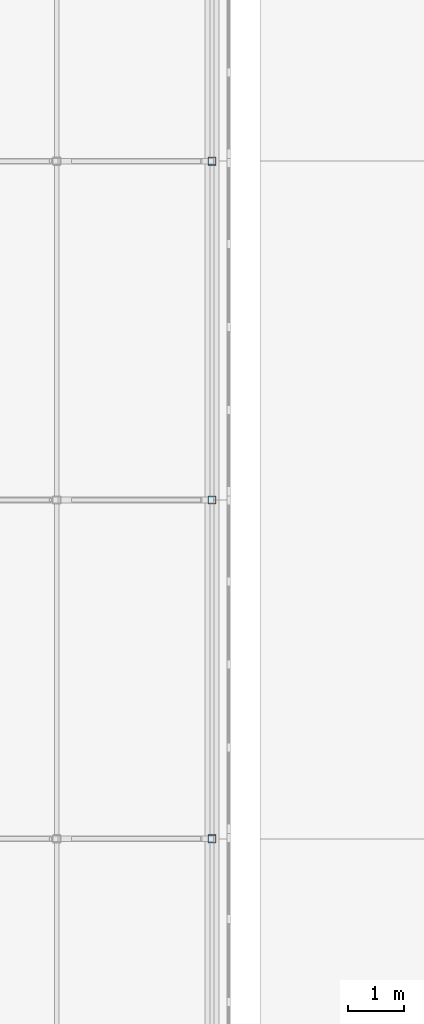
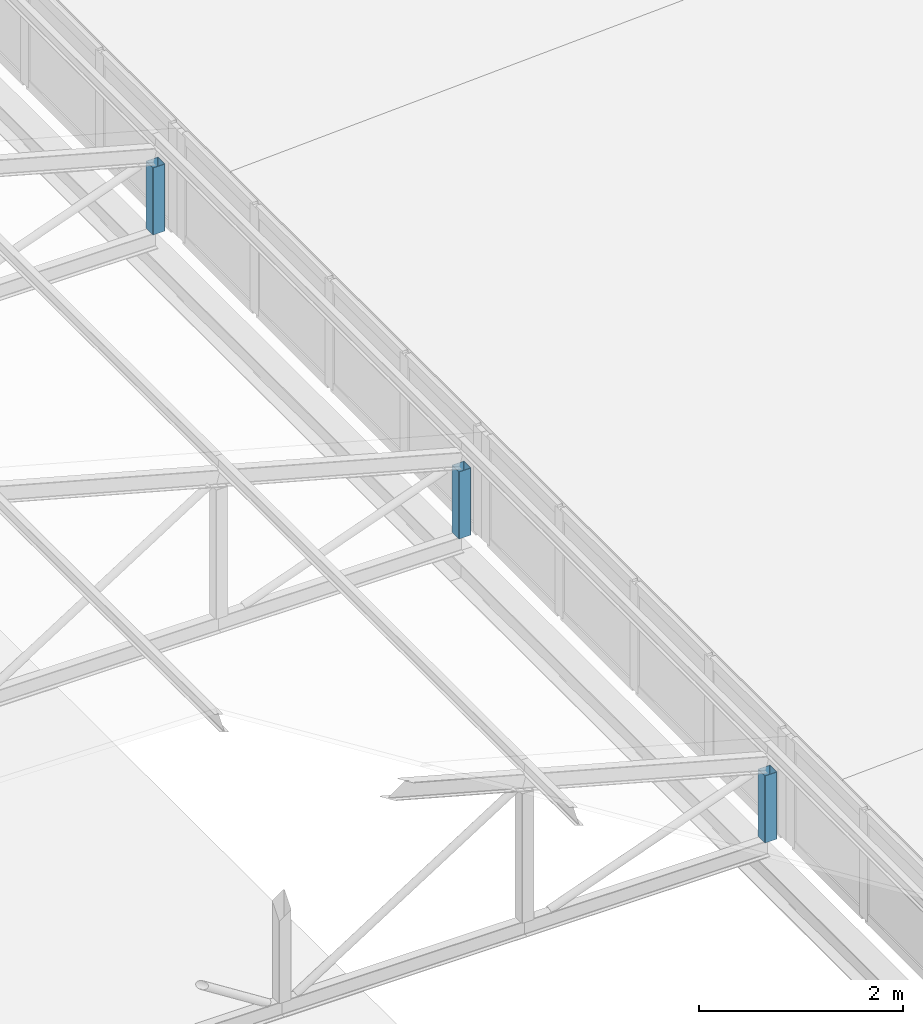
# One storey, part 70 of 94: 3 members.
"""IFC4 building model written with IfcOpenShell, lengths in metres."""

import ifcopenshell
import ifcopenshell.guid

model = None  # the IFC model being written
_history = None  # IfcOwnerHistory: only IFC2X3 demands one
_inside = {}  # id of a spatial element -> (the spatial element, [elements in it])
_under = {}  # id of a project, library or spatial element -> (it, [spatial elements below it])
_declared = {}  # id of a project -> (the project, [libraries it declares])
_typed = {}  # id of a type object -> (the type object, [elements of that type])
_made_of = {}  # id of a material, layer set ... -> (it, [elements and type objects made of it])


def new_model(schema):
    """Start an empty IFC model of exactly this schema.

    Asked for "IFC4X3", IfcOpenShell would pick the latest addendum, in which some entities
    have other attributes; the version numbers below select the first issue.
    IFC2X3 requires an IfcOwnerHistory on every rooted entity: one is made here for all.
    """
    global model, _history
    if schema == "IFC4X3":
        model = ifcopenshell.file(schema_version=(4, 3, 0, 0))
    else:
        model = ifcopenshell.file(schema=schema)
    _inside.clear()
    _under.clear()
    _declared.clear()
    _typed.clear()
    _made_of.clear()
    _history = None
    if model.schema == "IFC2X3":
        org = make("IfcOrganization", Name="unknown")
        user = make(
            "IfcPersonAndOrganization",
            ThePerson=make("IfcPerson", FamilyName="unknown"),
            TheOrganization=org,
        )
        app = make(
            "IfcApplication",
            ApplicationDeveloper=org,
            Version="unknown",
            ApplicationFullName="unknown",
            ApplicationIdentifier="unknown",
        )
        _history = make(
            "IfcOwnerHistory",
            OwningUser=user,
            OwningApplication=app,
            ChangeAction="ADDED",
            CreationDate=0,
        )
    return model


def make(cls, **values):
    """One entity of the class cls with the attributes given. An attribute that is None is left unset."""
    return model.create_entity(
        cls, **{name: value for name, value in values.items() if value is not None}
    )


def rooted(cls, **values):
    """An entity with a GlobalId (a new one), such as an element, a storey or a relation."""
    return make(cls, GlobalId=ifcopenshell.guid.new(), OwnerHistory=_history, **values)


def si_unit(unit_type, name, prefix=None):
    """IfcSIUnit, for example si_unit("LENGTHUNIT", "METRE", prefix="MILLI")."""
    return make("IfcSIUnit", UnitType=unit_type, Prefix=prefix, Name=name)


def assignment(units):
    """IfcUnitAssignment: the units of a project."""
    return None if units is None else make("IfcUnitAssignment", Units=units)


def point(xyz):
    """IfcCartesianPoint."""
    return None if xyz is None else make("IfcCartesianPoint", Coordinates=xyz)


def direction(xyz):
    """IfcDirection."""
    return None if xyz is None else make("IfcDirection", DirectionRatios=xyz)


def frame(location, z_axis=None, x_axis=None):
    """IfcAxis2Placement3D, a coordinate frame: its origin and axes. An axis left out is left unset."""
    return make(
        "IfcAxis2Placement3D",
        Location=point(location),
        Axis=direction(z_axis),
        RefDirection=direction(x_axis),
    )


def frame_2d(location, x_axis=None):
    """IfcAxis2Placement2D, a coordinate frame in the plane: its origin and x axis."""
    return make(
        "IfcAxis2Placement2D", Location=point(location), RefDirection=direction(x_axis)
    )


def origin():
    """The frame at (0, 0, 0) with its axes left unset."""
    return frame((0.0, 0.0, 0.0))


def origin_2d():
    """The frame at (0, 0) in the plane with its x axis left unset."""
    return frame_2d((0.0, 0.0))


def place(relative_to, where):
    """IfcLocalPlacement: puts the frame where relative to a parent placement (None: the world)."""
    return make(
        "IfcLocalPlacement", PlacementRelTo=relative_to, RelativePlacement=where
    )


def context(
    kind, dimensions, precision=None, world=None, true_north=None, identifier=None
):
    """IfcGeometricRepresentationContext, for example the 3D "Model" context."""
    return make(
        "IfcGeometricRepresentationContext",
        ContextIdentifier=identifier,
        ContextType=kind,
        CoordinateSpaceDimension=dimensions,
        Precision=precision,
        WorldCoordinateSystem=world,
        TrueNorth=true_north,
    )


def subcontext(parent, identifier, kind, view, scale=None):
    """IfcGeometricRepresentationSubContext, for example "Body" below "Model"."""
    return make(
        "IfcGeometricRepresentationSubContext",
        ContextIdentifier=identifier,
        ContextType=kind,
        ParentContext=parent,
        TargetScale=scale,
        TargetView=view,
    )


def project(units=None, contexts=None):
    """IfcProject with its units and contexts."""
    return rooted(
        "IfcProject",
        Name="project",
        RepresentationContexts=contexts,
        UnitsInContext=assignment(units),
    )


def spatial(cls, under=None, at=None, **own):
    """A site, building, storey or space (cls), placed at a placement, below another one or the project."""
    s = rooted(cls, ObjectPlacement=at, **own)
    if under is not None:
        _under.setdefault(under.id(), (under, []))[1].append(s)
    return s


def profile(cls, at=None, kind="AREA", **sizes):
    """A parametric profile (cls). Its sizes go by their IFC names, for example OverallWidth=200.0."""
    return make(cls, ProfileType=kind, Position=at, **sizes)


def hollow_rectangle(**sizes):
    """IfcRectangleHollowProfileDef."""
    return profile("IfcRectangleHollowProfileDef", **sizes)


def extrude(swept, where, along, depth):
    """IfcExtrudedAreaSolid: the profile swept, set in the frame where, extruded along a direction by depth."""
    return make(
        "IfcExtrudedAreaSolid",
        SweptArea=swept,
        Position=where,
        ExtrudedDirection=direction(along),
        Depth=depth,
    )


def shape(context_of_items, identifier, shape_type, items):
    """IfcShapeRepresentation: the items that make up one representation, for example the "Body"."""
    return make(
        "IfcShapeRepresentation",
        ContextOfItems=context_of_items,
        RepresentationIdentifier=identifier,
        RepresentationType=shape_type,
        Items=items,
    )


def material(Name=None, Category=None):
    """IfcMaterial."""
    return make("IfcMaterial", Name=Name, Category=Category)


def material_profile(
    of_material, cross_section, Name=None, Category=None, Priority=None
):
    """IfcMaterialProfile: a cross section and its material."""
    return make(
        "IfcMaterialProfile",
        Name=Name,
        Material=of_material,
        Profile=cross_section,
        Priority=Priority,
        Category=Category,
    )


def profile_set(profiles, Name=None, composite=None):
    """IfcMaterialProfileSet."""
    return make(
        "IfcMaterialProfileSet",
        Name=Name,
        MaterialProfiles=profiles,
        CompositeProfile=composite,
    )


def made_of(thing, what):
    """Note that an element or type object is made of a material, layer set ...; save() writes the relation."""
    if what is not None:
        _made_of.setdefault(what.id(), (what, []))[1].append(thing)
    return thing


def type_object(cls, material=None, **own):
    """A type object (cls), such as IfcWallType, which elements share."""
    return made_of(rooted(cls, **own), material)


def element(
    cls,
    number,
    at=None,
    inside=None,
    cuts=None,
    type_object=None,
    material=None,
    context=None,
    identifier="Body",
    shape_type=None,
    held_by="IfcProductDefinitionShape",
    body=None,
    shapes=None,
    **own,
):
    """One element of the class cls, such as IfcWall. Its Tag is "e" and its number.

    at: its placement. inside: the storey or other place that contains it. cuts: it is an
    opening in that element (IfcRelVoidsElement). A single representation is given by context,
    identifier, shape_type and body (its items); several are given by shapes. held_by: the class
    of the entity that holds the representations. save() writes the other relations.
    """
    e = rooted(cls, Tag="e%d" % number, ObjectPlacement=at, **own)
    if body is not None:
        shapes = [shape(context, identifier, shape_type, body)]
    if shapes is not None:
        e.Representation = make(held_by, Representations=shapes)
    if inside is not None:
        _inside.setdefault(inside.id(), (inside, []))[1].append(e)
    if cuts is not None:
        rooted(
            "IfcRelVoidsElement", RelatingBuildingElement=cuts, RelatedOpeningElement=e
        )
    if type_object is not None:
        _typed.setdefault(type_object.id(), (type_object, []))[1].append(e)
    return made_of(e, material)


def aggregate(whole, parts):
    """IfcRelAggregates: a whole, such as a stair, and the parts it consists of."""
    return rooted("IfcRelAggregates", RelatingObject=whole, RelatedObjects=parts)


def save(model, path):
    """Write the relations noted so far, then the file.

    IfcRelAggregates (storeys below a building ...), IfcRelContainedInSpatialStructure (elements
    in a storey), IfcRelDefinesByType, IfcRelAssociatesMaterial and IfcRelDeclares: one each for
    every whole, place, type object, material and project.
    """
    for whole, parts in _under.values():
        aggregate(whole, parts)
    for where, things in _inside.values():
        rooted(
            "IfcRelContainedInSpatialStructure",
            RelatedElements=things,
            RelatingStructure=where,
        )
    for kind, things in _typed.values():
        rooted("IfcRelDefinesByType", RelatedObjects=things, RelatingType=kind)
    for what, things in _made_of.values():
        rooted("IfcRelAssociatesMaterial", RelatedObjects=things, RelatingMaterial=what)
    for by, libraries in _declared.values():
        rooted("IfcRelDeclares", RelatingContext=by, RelatedDefinitions=libraries)
    model.write(path)


model = new_model("IFC4")

# Units and contexts
model_context = context("Model", 3, precision=1e-05, world=origin(), true_north=direction((0.0, 1.0)))
body_context = subcontext(model_context, "Body", "Model", "MODEL_VIEW")
ifc_project = project(units=[si_unit("LENGTHUNIT", "METRE"), si_unit("AREAUNIT", "SQUARE_METRE"), si_unit("VOLUMEUNIT", "CUBIC_METRE"), si_unit("PLANEANGLEUNIT", "RADIAN"), si_unit("MASSUNIT", "GRAM", prefix="KILO")], contexts=[model_context])

# Site, building, storey
site_placement = place(None, origin())
site = spatial("IfcSite", under=ifc_project, at=site_placement, CompositionType="ELEMENT")
building_placement = place(site_placement, origin())
building = spatial("IfcBuilding", under=site, at=building_placement, Name="Lilac Gate Convention Centre", CompositionType="ELEMENT")
storey_placement = place(building_placement, frame((0.0, 0.0, 21.0)))
storey = spatial("IfcBuildingStorey", under=building, at=storey_placement, Name="L04", CompositionType="ELEMENT", Elevation=21.0)

# Members
ifc_material = material(Name="Steel Q355B", Category="steel")
ifc_material_profile = material_profile(ifc_material, hollow_rectangle(XDim=0.139892578125, YDim=0.139892578125, WallThickness=0.0048828125, InnerFilletRadius=0.0048828125, OuterFilletRadius=0.010009765625, at=origin_2d()), Name="SHS140x140x5")
ifc_profile_set = profile_set([ifc_material_profile], Name="Steel Q355B")
member_type = type_object("IfcMemberType", Name="Lantern post SHS140x140x5", PredefinedType="STRUT", material=ifc_profile_set)
for number, where, z_axis, x_axis, name in (
    (1, (28.60009765625, 102.0, 0.199951171875), (0.0, 0.0, 1.0), (1.0, 0.0, 0.0), "LV1 lantern truss 13 post 5"),
    (2, (28.60009765625, 108.0, 0.199951171875), (0.0, 0.0, 1.0), (1.0, 0.0, 0.0), "LV1 lantern truss 14 post 5"),
    (3, (28.60009765625, 114.0, 0.199951171875), (0.0, 0.0, 1.0), (1.0, 0.0, 0.0), "LV1 lantern truss 15 post 5"),
):
    element("IfcMember", number, at=place(storey_placement, frame(where, z_axis=z_axis, x_axis=x_axis)), inside=storey, type_object=member_type, Name=name, PredefinedType="STRUT", context=body_context, shape_type="SweptSolid", body=[
        extrude(hollow_rectangle(XDim=0.139892578125, YDim=0.139892578125, WallThickness=0.0048828125, InnerFilletRadius=0.0048828125, OuterFilletRadius=0.010009765625, at=origin_2d()), origin(), (0.0, 0.0, 1.0), 0.802001953125),
    ])

save(model, "model.ifc")
